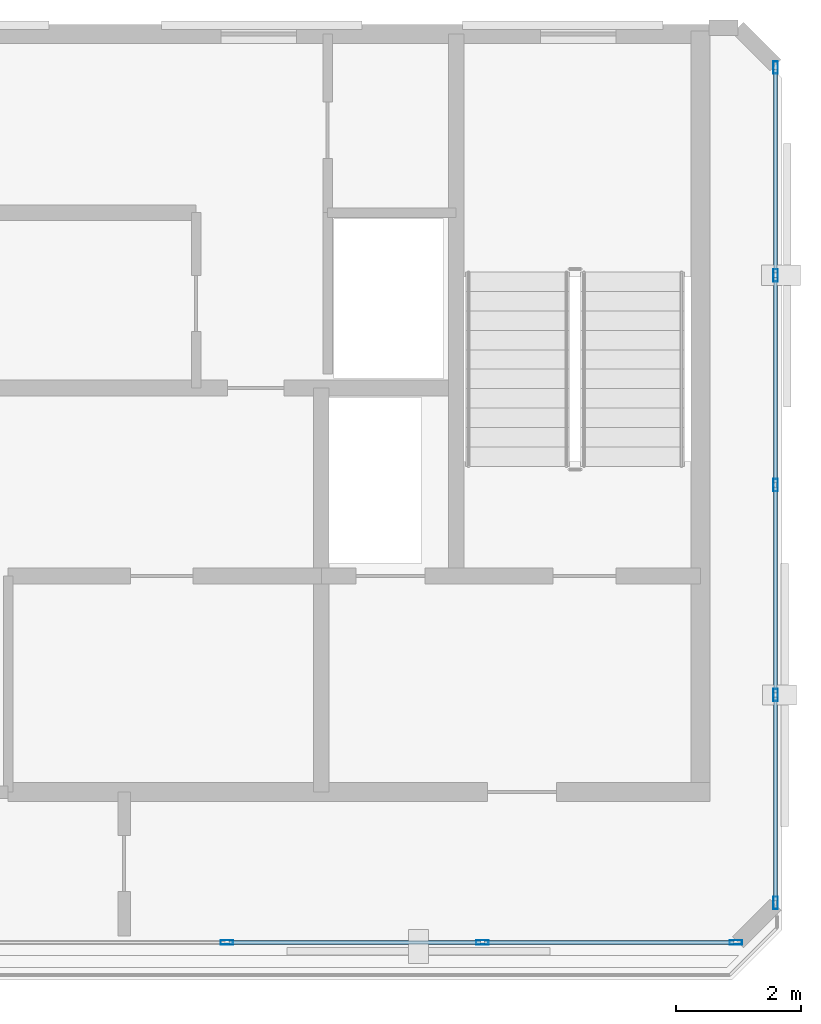
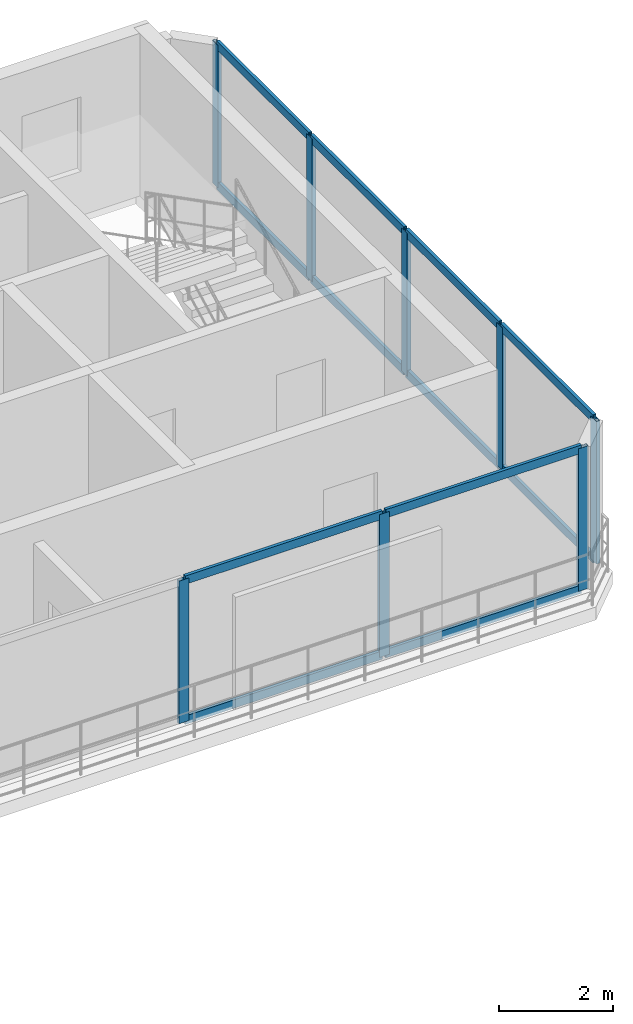
# One storey, part 4 of 7: 20 members, 2 elements without a shape of their own.
"""IFC4 building model written with IfcOpenShell, lengths in metres."""

import ifcopenshell
import ifcopenshell.guid

model = None  # the IFC model being written
_history = None  # IfcOwnerHistory: only IFC2X3 demands one
_inside = {}  # id of a spatial element -> (the spatial element, [elements in it])
_under = {}  # id of a project, library or spatial element -> (it, [spatial elements below it])
_declared = {}  # id of a project -> (the project, [libraries it declares])
_typed = {}  # id of a type object -> (the type object, [elements of that type])
_made_of = {}  # id of a material, layer set ... -> (it, [elements and type objects made of it])


def new_model(schema):
    """Start an empty IFC model of exactly this schema.

    Asked for "IFC4X3", IfcOpenShell would pick the latest addendum, in which some entities
    have other attributes; the version numbers below select the first issue.
    IFC2X3 requires an IfcOwnerHistory on every rooted entity: one is made here for all.
    """
    global model, _history
    if schema == "IFC4X3":
        model = ifcopenshell.file(schema_version=(4, 3, 0, 0))
    else:
        model = ifcopenshell.file(schema=schema)
    _inside.clear()
    _under.clear()
    _declared.clear()
    _typed.clear()
    _made_of.clear()
    _history = None
    if model.schema == "IFC2X3":
        org = make("IfcOrganization", Name="unknown")
        user = make(
            "IfcPersonAndOrganization",
            ThePerson=make("IfcPerson", FamilyName="unknown"),
            TheOrganization=org,
        )
        app = make(
            "IfcApplication",
            ApplicationDeveloper=org,
            Version="unknown",
            ApplicationFullName="unknown",
            ApplicationIdentifier="unknown",
        )
        _history = make(
            "IfcOwnerHistory",
            OwningUser=user,
            OwningApplication=app,
            ChangeAction="ADDED",
            CreationDate=0,
        )
    return model


def make(cls, **values):
    """One entity of the class cls with the attributes given. An attribute that is None is left unset."""
    return model.create_entity(
        cls, **{name: value for name, value in values.items() if value is not None}
    )


def rooted(cls, **values):
    """An entity with a GlobalId (a new one), such as an element, a storey or a relation."""
    return make(cls, GlobalId=ifcopenshell.guid.new(), OwnerHistory=_history, **values)


def si_unit(unit_type, name, prefix=None):
    """IfcSIUnit, for example si_unit("LENGTHUNIT", "METRE", prefix="MILLI")."""
    return make("IfcSIUnit", UnitType=unit_type, Prefix=prefix, Name=name)


def assignment(units):
    """IfcUnitAssignment: the units of a project."""
    return None if units is None else make("IfcUnitAssignment", Units=units)


def point(xyz):
    """IfcCartesianPoint."""
    return None if xyz is None else make("IfcCartesianPoint", Coordinates=xyz)


def direction(xyz):
    """IfcDirection."""
    return None if xyz is None else make("IfcDirection", DirectionRatios=xyz)


def frame(location, z_axis=None, x_axis=None):
    """IfcAxis2Placement3D, a coordinate frame: its origin and axes. An axis left out is left unset."""
    return make(
        "IfcAxis2Placement3D",
        Location=point(location),
        Axis=direction(z_axis),
        RefDirection=direction(x_axis),
    )


def frame_2d(location, x_axis=None):
    """IfcAxis2Placement2D, a coordinate frame in the plane: its origin and x axis."""
    return make(
        "IfcAxis2Placement2D", Location=point(location), RefDirection=direction(x_axis)
    )


def origin():
    """The frame at (0, 0, 0) with its axes left unset."""
    return frame((0.0, 0.0, 0.0))


def origin_2d():
    """The frame at (0, 0) in the plane with its x axis left unset."""
    return frame_2d((0.0, 0.0))


def place(relative_to, where):
    """IfcLocalPlacement: puts the frame where relative to a parent placement (None: the world)."""
    return make(
        "IfcLocalPlacement", PlacementRelTo=relative_to, RelativePlacement=where
    )


def context(
    kind, dimensions, precision=None, world=None, true_north=None, identifier=None
):
    """IfcGeometricRepresentationContext, for example the 3D "Model" context."""
    return make(
        "IfcGeometricRepresentationContext",
        ContextIdentifier=identifier,
        ContextType=kind,
        CoordinateSpaceDimension=dimensions,
        Precision=precision,
        WorldCoordinateSystem=world,
        TrueNorth=true_north,
    )


def subcontext(parent, identifier, kind, view, scale=None):
    """IfcGeometricRepresentationSubContext, for example "Body" below "Model"."""
    return make(
        "IfcGeometricRepresentationSubContext",
        ContextIdentifier=identifier,
        ContextType=kind,
        ParentContext=parent,
        TargetScale=scale,
        TargetView=view,
    )


def project(units=None, contexts=None):
    """IfcProject with its units and contexts."""
    return rooted(
        "IfcProject",
        Name="project",
        RepresentationContexts=contexts,
        UnitsInContext=assignment(units),
    )


def spatial(cls, under=None, at=None, **own):
    """A site, building, storey or space (cls), placed at a placement, below another one or the project."""
    s = rooted(cls, ObjectPlacement=at, **own)
    if under is not None:
        _under.setdefault(under.id(), (under, []))[1].append(s)
    return s


def profile(cls, at=None, kind="AREA", **sizes):
    """A parametric profile (cls). Its sizes go by their IFC names, for example OverallWidth=200.0."""
    return make(cls, ProfileType=kind, Position=at, **sizes)


def hollow_rectangle(**sizes):
    """IfcRectangleHollowProfileDef."""
    return profile("IfcRectangleHollowProfileDef", **sizes)


def extrude(swept, where, along, depth):
    """IfcExtrudedAreaSolid: the profile swept, set in the frame where, extruded along a direction by depth."""
    return make(
        "IfcExtrudedAreaSolid",
        SweptArea=swept,
        Position=where,
        ExtrudedDirection=direction(along),
        Depth=depth,
    )


def shape(context_of_items, identifier, shape_type, items):
    """IfcShapeRepresentation: the items that make up one representation, for example the "Body"."""
    return make(
        "IfcShapeRepresentation",
        ContextOfItems=context_of_items,
        RepresentationIdentifier=identifier,
        RepresentationType=shape_type,
        Items=items,
    )


def material(Name=None, Category=None):
    """IfcMaterial."""
    return make("IfcMaterial", Name=Name, Category=Category)


def layer(
    of_material, thickness, ventilated=None, Name=None, Category=None, Priority=None
):
    """IfcMaterialLayer: one layer of a wall or slab, of a material (None: an air gap)."""
    return make(
        "IfcMaterialLayer",
        Material=of_material,
        LayerThickness=thickness,
        IsVentilated=ventilated,
        Name=Name,
        Category=Category,
        Priority=Priority,
    )


def layer_set(layers, Name=None):
    """IfcMaterialLayerSet."""
    return make("IfcMaterialLayerSet", MaterialLayers=layers, LayerSetName=Name)


def material_profile(
    of_material, cross_section, Name=None, Category=None, Priority=None
):
    """IfcMaterialProfile: a cross section and its material."""
    return make(
        "IfcMaterialProfile",
        Name=Name,
        Material=of_material,
        Profile=cross_section,
        Priority=Priority,
        Category=Category,
    )


def profile_set(profiles, Name=None, composite=None):
    """IfcMaterialProfileSet."""
    return make(
        "IfcMaterialProfileSet",
        Name=Name,
        MaterialProfiles=profiles,
        CompositeProfile=composite,
    )


def made_of(thing, what):
    """Note that an element or type object is made of a material, layer set ...; save() writes the relation."""
    if what is not None:
        _made_of.setdefault(what.id(), (what, []))[1].append(thing)
    return thing


def type_object(cls, material=None, **own):
    """A type object (cls), such as IfcWallType, which elements share."""
    return made_of(rooted(cls, **own), material)


def element(
    cls,
    number,
    at=None,
    inside=None,
    cuts=None,
    type_object=None,
    material=None,
    context=None,
    identifier="Body",
    shape_type=None,
    held_by="IfcProductDefinitionShape",
    body=None,
    shapes=None,
    **own,
):
    """One element of the class cls, such as IfcWall. Its Tag is "e" and its number.

    at: its placement. inside: the storey or other place that contains it. cuts: it is an
    opening in that element (IfcRelVoidsElement). A single representation is given by context,
    identifier, shape_type and body (its items); several are given by shapes. held_by: the class
    of the entity that holds the representations. save() writes the other relations.
    """
    e = rooted(cls, Tag="e%d" % number, ObjectPlacement=at, **own)
    if body is not None:
        shapes = [shape(context, identifier, shape_type, body)]
    if shapes is not None:
        e.Representation = make(held_by, Representations=shapes)
    if inside is not None:
        _inside.setdefault(inside.id(), (inside, []))[1].append(e)
    if cuts is not None:
        rooted(
            "IfcRelVoidsElement", RelatingBuildingElement=cuts, RelatedOpeningElement=e
        )
    if type_object is not None:
        _typed.setdefault(type_object.id(), (type_object, []))[1].append(e)
    return made_of(e, material)


def aggregate(whole, parts):
    """IfcRelAggregates: a whole, such as a stair, and the parts it consists of."""
    return rooted("IfcRelAggregates", RelatingObject=whole, RelatedObjects=parts)


def save(model, path):
    """Write the relations noted so far, then the file.

    IfcRelAggregates (storeys below a building ...), IfcRelContainedInSpatialStructure (elements
    in a storey), IfcRelDefinesByType, IfcRelAssociatesMaterial and IfcRelDeclares: one each for
    every whole, place, type object, material and project.
    """
    for whole, parts in _under.values():
        aggregate(whole, parts)
    for where, things in _inside.values():
        rooted(
            "IfcRelContainedInSpatialStructure",
            RelatedElements=things,
            RelatingStructure=where,
        )
    for kind, things in _typed.values():
        rooted("IfcRelDefinesByType", RelatedObjects=things, RelatingType=kind)
    for what, things in _made_of.values():
        rooted("IfcRelAssociatesMaterial", RelatedObjects=things, RelatingMaterial=what)
    for by, libraries in _declared.values():
        rooted("IfcRelDeclares", RelatingContext=by, RelatedDefinitions=libraries)
    model.write(path)


model = new_model("IFC4")

# Units and contexts
model_context = context("Model", 3, precision=1e-05, world=origin(), true_north=direction((0.0, 1.0)))
body_context = subcontext(model_context, "Body", "Model", "MODEL_VIEW")
ifc_project = project(units=[si_unit("LENGTHUNIT", "METRE"), si_unit("AREAUNIT", "SQUARE_METRE"), si_unit("VOLUMEUNIT", "CUBIC_METRE"), si_unit("PLANEANGLEUNIT", "RADIAN"), si_unit("MASSUNIT", "GRAM", prefix="KILO")], contexts=[model_context])

# Site, building, storey
site_placement = place(None, origin())
site = spatial("IfcSite", under=ifc_project, at=site_placement, CompositionType="ELEMENT")
building_placement = place(site_placement, origin())
building = spatial("IfcBuilding", under=site, at=building_placement, Name="Catumbela Crestline Tower", CompositionType="ELEMENT")
storey_placement = place(building_placement, frame((0.0, 0.0, 315.0)))
storey = spatial("IfcBuildingStorey", under=building, at=storey_placement, Name="L81", CompositionType="ELEMENT", Elevation=315.0)

# Curtain wall, members
ifc_material = material(Name="Aluminium alloy AW-6060-T66", Category="aluminium")
ifc_layer = layer(ifc_material, 0.18, Name="Aluminium alloy AW-6060-T66")
ifc_layer_set = layer_set([ifc_layer], Name="Aluminium alloy AW-6060-T66")
curtain_wall_type = type_object("IfcCurtainWallType", Name="CWS-OBS", PredefinedType="USERDEFINED", material=ifc_layer_set)
curtain_wall_1_placement = place(storey_placement, origin())
curtain_wall_1 = element("IfcCurtainWall", 1, at=curtain_wall_1_placement, inside=storey, type_object=curtain_wall_type, Name="L81 Stick Curtain Wall CW-L81-E0S2", ObjectType="STICK", PredefinedType="USERDEFINED")
ifc_material_profile_1 = material_profile(ifc_material, hollow_rectangle(XDim=0.075, YDim=0.2, WallThickness=0.005, at=origin_2d()), Name="ALU 200x75x5")
ifc_profile_set_1 = profile_set([ifc_material_profile_1], Name="Aluminium alloy AW-6060-T66")
member_type_1 = type_object("IfcMemberType", Name="MUL-200X75", PredefinedType="MULLION", material=ifc_profile_set_1)
member_1_placement = place(storey_placement, frame((32.44, 28.4, 0.0), z_axis=(0.0, 0.0, 1.0), x_axis=(0.0, 1.0, 0.0)))
member_1 = element("IfcMember", 2, at=member_1_placement, type_object=member_type_1, Name="CWS-OBS mullion 4", PredefinedType="MULLION", context=body_context, shape_type="SweptSolid", body=[
    extrude(hollow_rectangle(XDim=0.075, YDim=0.2, WallThickness=0.005, at=origin_2d()), origin(), (0.0, 0.0, 1.0), 3.07),
])
member_2_placement = place(storey_placement, frame((36.52, 28.4, 0.0), z_axis=(0.0, 0.0, 1.0), x_axis=(0.0, 1.0, 0.0)))
member_2 = element("IfcMember", 3, at=member_2_placement, type_object=member_type_1, Name="CWS-OBS mullion 5", PredefinedType="MULLION", context=body_context, shape_type="SweptSolid", body=[
    extrude(hollow_rectangle(XDim=0.075, YDim=0.2, WallThickness=0.005, at=origin_2d()), origin(), (0.0, 0.0, 1.0), 3.07),
])
member_3_placement = place(storey_placement, frame((40.5675, 28.4, 0.0), z_axis=(0.0, 0.0, 1.0), x_axis=(0.0, 1.0, 0.0)))
member_3 = element("IfcMember", 4, at=member_3_placement, type_object=member_type_1, Name="CWS-OBS mullion 6", PredefinedType="MULLION", context=body_context, shape_type="SweptSolid", body=[
    extrude(hollow_rectangle(XDim=0.075, YDim=0.2, WallThickness=0.005, at=origin_2d()), origin(), (0.0, 0.0, 1.0), 3.07),
])

curtain_wall_2_placement = place(storey_placement, origin())
curtain_wall_2 = element("IfcCurtainWall", 5, at=curtain_wall_2_placement, inside=storey, type_object=curtain_wall_type, Name="L81 Stick Curtain Wall CW-L81-E2S1", ObjectType="STICK", PredefinedType="USERDEFINED")
member_4_placement = place(storey_placement, frame((41.2, 29.0325, 0.0), z_axis=(0.0, 0.0, 1.0), x_axis=(-1.0, 0.0, 0.0)))
member_4 = element("IfcMember", 6, at=member_4_placement, type_object=member_type_1, Name="CWS-OBS mullion 1", PredefinedType="MULLION", context=body_context, shape_type="SweptSolid", body=[
    extrude(hollow_rectangle(XDim=0.075, YDim=0.2, WallThickness=0.005, at=origin_2d()), origin(), (0.0, 0.0, 1.0), 3.07),
])
member_5_placement = place(storey_placement, frame((41.2, 32.35, 0.0), z_axis=(0.0, 0.0, 1.0), x_axis=(-1.0, 0.0, 0.0)))
member_5 = element("IfcMember", 7, at=member_5_placement, type_object=member_type_1, Name="CWS-OBS mullion 2", PredefinedType="MULLION", context=body_context, shape_type="SweptSolid", body=[
    extrude(hollow_rectangle(XDim=0.075, YDim=0.2, WallThickness=0.005, at=origin_2d()), origin(), (0.0, 0.0, 1.0), 3.07),
])
member_6_placement = place(storey_placement, frame((41.2, 35.7, 0.0), z_axis=(0.0, 0.0, 1.0), x_axis=(-1.0, 0.0, 0.0)))
member_6 = element("IfcMember", 8, at=member_6_placement, type_object=member_type_1, Name="CWS-OBS mullion 3", PredefinedType="MULLION", context=body_context, shape_type="SweptSolid", body=[
    extrude(hollow_rectangle(XDim=0.075, YDim=0.2, WallThickness=0.005, at=origin_2d()), origin(), (0.0, 0.0, 1.0), 3.07),
])
member_7_placement = place(storey_placement, frame((41.2, 39.05, 0.0), z_axis=(0.0, 0.0, 1.0), x_axis=(-1.0, 0.0, 0.0)))
member_7 = element("IfcMember", 9, at=member_7_placement, type_object=member_type_1, Name="CWS-OBS mullion 4", PredefinedType="MULLION", context=body_context, shape_type="SweptSolid", body=[
    extrude(hollow_rectangle(XDim=0.075, YDim=0.2, WallThickness=0.005, at=origin_2d()), origin(), (0.0, 0.0, 1.0), 3.07),
])
member_8_placement = place(storey_placement, frame((41.2, 42.3675, 0.0), z_axis=(0.0, 0.0, 1.0), x_axis=(-1.0, 0.0, 0.0)))
member_8 = element("IfcMember", 10, at=member_8_placement, type_object=member_type_1, Name="CWS-OBS mullion 5", PredefinedType="MULLION", context=body_context, shape_type="SweptSolid", body=[
    extrude(hollow_rectangle(XDim=0.075, YDim=0.2, WallThickness=0.005, at=origin_2d()), origin(), (0.0, 0.0, 1.0), 3.07),
])

# Member
ifc_material_profile_2 = material_profile(ifc_material, hollow_rectangle(XDim=0.065, YDim=0.18, WallThickness=0.004, at=origin_2d()), Name="ALU 180x65x4")
ifc_profile_set_2 = profile_set([ifc_material_profile_2], Name="Aluminium alloy AW-6060-T66")
member_type_2 = type_object("IfcMemberType", Name="TRN-180X65", PredefinedType="USERDEFINED", material=ifc_profile_set_2)
member_9_placement = place(storey_placement, frame((32.4725, 28.4, 0.03), z_axis=(1.0, 0.0, 0.0), x_axis=(0.0, 1.0, 0.0)))
member_9 = element("IfcMember", 11, at=member_9_placement, type_object=member_type_2, Name="CWS-OBS transom 4.1", ObjectType="TRANSOM", PredefinedType="USERDEFINED", context=body_context, shape_type="SweptSolid", body=[
    extrude(hollow_rectangle(XDim=0.065, YDim=0.18, WallThickness=0.004, at=origin_2d()), origin(), (0.0, 0.0, 1.0), 4.015),
])

member_10_placement = place(storey_placement, frame((32.4725, 28.4, 3.04), z_axis=(1.0, 0.0, 0.0), x_axis=(0.0, 1.0, 0.0)))
member_10 = element("IfcMember", 12, at=member_10_placement, type_object=member_type_2, Name="CWS-OBS transom 4.2", ObjectType="TRANSOM", PredefinedType="USERDEFINED", context=body_context, shape_type="SweptSolid", body=[
    extrude(hollow_rectangle(XDim=0.065, YDim=0.18, WallThickness=0.004, at=origin_2d()), origin(), (0.0, 0.0, 1.0), 4.015),
])

member_11_placement = place(storey_placement, frame((36.5525, 28.4, 0.03), z_axis=(1.0, 0.0, 0.0), x_axis=(0.0, 1.0, 0.0)))
member_11 = element("IfcMember", 13, at=member_11_placement, type_object=member_type_2, Name="CWS-OBS transom 5.1", ObjectType="TRANSOM", PredefinedType="USERDEFINED", context=body_context, shape_type="SweptSolid", body=[
    extrude(hollow_rectangle(XDim=0.065, YDim=0.18, WallThickness=0.004, at=origin_2d()), origin(), (0.0, 0.0, 1.0), 3.9825),
])

member_12_placement = place(storey_placement, frame((36.5525, 28.4, 3.04), z_axis=(1.0, 0.0, 0.0), x_axis=(0.0, 1.0, 0.0)))
member_12 = element("IfcMember", 14, at=member_12_placement, type_object=member_type_2, Name="CWS-OBS transom 5.2", ObjectType="TRANSOM", PredefinedType="USERDEFINED", context=body_context, shape_type="SweptSolid", body=[
    extrude(hollow_rectangle(XDim=0.065, YDim=0.18, WallThickness=0.004, at=origin_2d()), origin(), (0.0, 0.0, 1.0), 3.9825),
])

aggregate(curtain_wall_1, [member_1, member_2, member_3, member_9, member_10, member_11, member_12])

member_13_placement = place(storey_placement, frame((41.2, 29.065, 0.03), z_axis=(0.0, 1.0, 0.0), x_axis=(-1.0, 0.0, 0.0)))
member_13 = element("IfcMember", 15, at=member_13_placement, type_object=member_type_2, Name="CWS-OBS transom 1.1", ObjectType="TRANSOM", PredefinedType="USERDEFINED", context=body_context, shape_type="SweptSolid", body=[
    extrude(hollow_rectangle(XDim=0.065, YDim=0.18, WallThickness=0.004, at=origin_2d()), origin(), (0.0, 0.0, 1.0), 3.2525),
])

member_14_placement = place(storey_placement, frame((41.2, 29.065, 3.04), z_axis=(0.0, 1.0, 0.0), x_axis=(-1.0, 0.0, 0.0)))
member_14 = element("IfcMember", 16, at=member_14_placement, type_object=member_type_2, Name="CWS-OBS transom 1.2", ObjectType="TRANSOM", PredefinedType="USERDEFINED", context=body_context, shape_type="SweptSolid", body=[
    extrude(hollow_rectangle(XDim=0.065, YDim=0.18, WallThickness=0.004, at=origin_2d()), origin(), (0.0, 0.0, 1.0), 3.2525),
])

member_15_placement = place(storey_placement, frame((41.2, 32.3825, 0.03), z_axis=(0.0, 1.0, 0.0), x_axis=(-1.0, 0.0, 0.0)))
member_15 = element("IfcMember", 17, at=member_15_placement, type_object=member_type_2, Name="CWS-OBS transom 2.1", ObjectType="TRANSOM", PredefinedType="USERDEFINED", context=body_context, shape_type="SweptSolid", body=[
    extrude(hollow_rectangle(XDim=0.065, YDim=0.18, WallThickness=0.004, at=origin_2d()), origin(), (0.0, 0.0, 1.0), 3.285),
])

member_16_placement = place(storey_placement, frame((41.2, 32.3825, 3.04), z_axis=(0.0, 1.0, 0.0), x_axis=(-1.0, 0.0, 0.0)))
member_16 = element("IfcMember", 18, at=member_16_placement, type_object=member_type_2, Name="CWS-OBS transom 2.2", ObjectType="TRANSOM", PredefinedType="USERDEFINED", context=body_context, shape_type="SweptSolid", body=[
    extrude(hollow_rectangle(XDim=0.065, YDim=0.18, WallThickness=0.004, at=origin_2d()), origin(), (0.0, 0.0, 1.0), 3.285),
])

member_17_placement = place(storey_placement, frame((41.2, 35.7325, 0.03), z_axis=(0.0, 1.0, 0.0), x_axis=(-1.0, 0.0, 0.0)))
member_17 = element("IfcMember", 19, at=member_17_placement, type_object=member_type_2, Name="CWS-OBS transom 3.1", ObjectType="TRANSOM", PredefinedType="USERDEFINED", context=body_context, shape_type="SweptSolid", body=[
    extrude(hollow_rectangle(XDim=0.065, YDim=0.18, WallThickness=0.004, at=origin_2d()), origin(), (0.0, 0.0, 1.0), 3.285),
])

member_18_placement = place(storey_placement, frame((41.2, 35.7325, 3.04), z_axis=(0.0, 1.0, 0.0), x_axis=(-1.0, 0.0, 0.0)))
member_18 = element("IfcMember", 20, at=member_18_placement, type_object=member_type_2, Name="CWS-OBS transom 3.2", ObjectType="TRANSOM", PredefinedType="USERDEFINED", context=body_context, shape_type="SweptSolid", body=[
    extrude(hollow_rectangle(XDim=0.065, YDim=0.18, WallThickness=0.004, at=origin_2d()), origin(), (0.0, 0.0, 1.0), 3.285),
])

member_19_placement = place(storey_placement, frame((41.2, 39.0825, 0.03), z_axis=(0.0, 1.0, 0.0), x_axis=(-1.0, 0.0, 0.0)))
member_19 = element("IfcMember", 21, at=member_19_placement, type_object=member_type_2, Name="CWS-OBS transom 4.1", ObjectType="TRANSOM", PredefinedType="USERDEFINED", context=body_context, shape_type="SweptSolid", body=[
    extrude(hollow_rectangle(XDim=0.065, YDim=0.18, WallThickness=0.004, at=origin_2d()), origin(), (0.0, 0.0, 1.0), 3.2525),
])

member_20_placement = place(storey_placement, frame((41.2, 39.0825, 3.04), z_axis=(0.0, 1.0, 0.0), x_axis=(-1.0, 0.0, 0.0)))
member_20 = element("IfcMember", 22, at=member_20_placement, type_object=member_type_2, Name="CWS-OBS transom 4.2", ObjectType="TRANSOM", PredefinedType="USERDEFINED", context=body_context, shape_type="SweptSolid", body=[
    extrude(hollow_rectangle(XDim=0.065, YDim=0.18, WallThickness=0.004, at=origin_2d()), origin(), (0.0, 0.0, 1.0), 3.2525),
])

aggregate(curtain_wall_2, [member_4, member_5, member_6, member_7, member_8, member_13, member_14, member_15, member_16, member_17, member_18, member_19, member_20])

save(model, "model.ifc")
